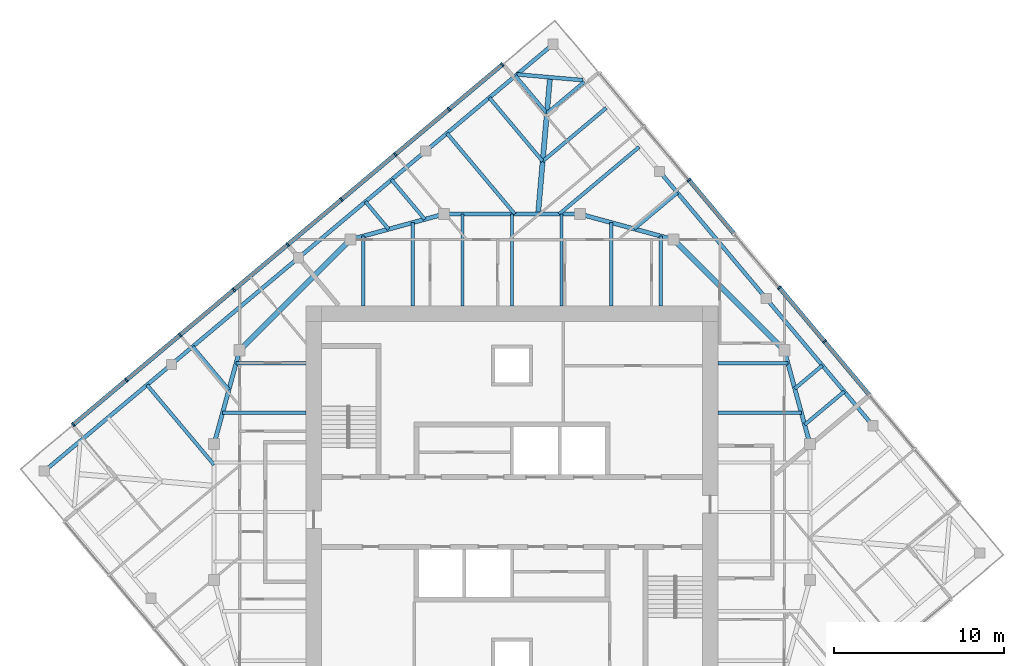
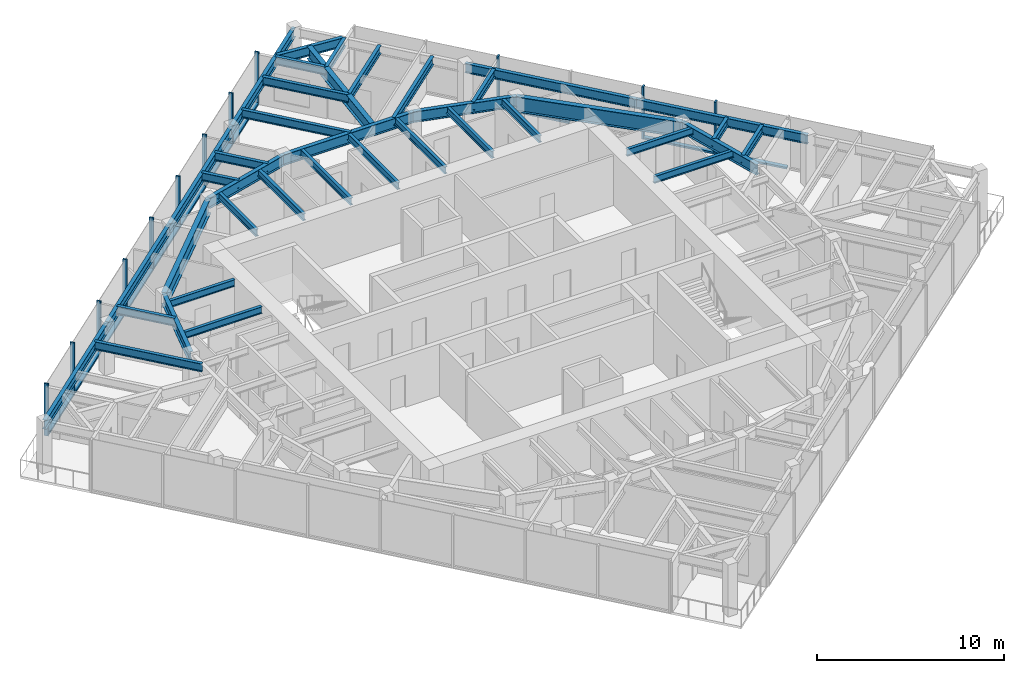
# One storey, part 4 of 12: 39 beams, 23 members, 2 elements without a shape of their own.
"""IFC4 building model written with IfcOpenShell, lengths in metres."""

import ifcopenshell
import ifcopenshell.guid

model = None  # the IFC model being written
_history = None  # IfcOwnerHistory: only IFC2X3 demands one
_inside = {}  # id of a spatial element -> (the spatial element, [elements in it])
_under = {}  # id of a project, library or spatial element -> (it, [spatial elements below it])
_declared = {}  # id of a project -> (the project, [libraries it declares])
_typed = {}  # id of a type object -> (the type object, [elements of that type])
_made_of = {}  # id of a material, layer set ... -> (it, [elements and type objects made of it])


def new_model(schema):
    """Start an empty IFC model of exactly this schema.

    Asked for "IFC4X3", IfcOpenShell would pick the latest addendum, in which some entities
    have other attributes; the version numbers below select the first issue.
    IFC2X3 requires an IfcOwnerHistory on every rooted entity: one is made here for all.
    """
    global model, _history
    if schema == "IFC4X3":
        model = ifcopenshell.file(schema_version=(4, 3, 0, 0))
    else:
        model = ifcopenshell.file(schema=schema)
    _inside.clear()
    _under.clear()
    _declared.clear()
    _typed.clear()
    _made_of.clear()
    _history = None
    if model.schema == "IFC2X3":
        org = make("IfcOrganization", Name="unknown")
        user = make(
            "IfcPersonAndOrganization",
            ThePerson=make("IfcPerson", FamilyName="unknown"),
            TheOrganization=org,
        )
        app = make(
            "IfcApplication",
            ApplicationDeveloper=org,
            Version="unknown",
            ApplicationFullName="unknown",
            ApplicationIdentifier="unknown",
        )
        _history = make(
            "IfcOwnerHistory",
            OwningUser=user,
            OwningApplication=app,
            ChangeAction="ADDED",
            CreationDate=0,
        )
    return model


def make(cls, **values):
    """One entity of the class cls with the attributes given. An attribute that is None is left unset."""
    return model.create_entity(
        cls, **{name: value for name, value in values.items() if value is not None}
    )


def rooted(cls, **values):
    """An entity with a GlobalId (a new one), such as an element, a storey or a relation."""
    return make(cls, GlobalId=ifcopenshell.guid.new(), OwnerHistory=_history, **values)


def si_unit(unit_type, name, prefix=None):
    """IfcSIUnit, for example si_unit("LENGTHUNIT", "METRE", prefix="MILLI")."""
    return make("IfcSIUnit", UnitType=unit_type, Prefix=prefix, Name=name)


def assignment(units):
    """IfcUnitAssignment: the units of a project."""
    return None if units is None else make("IfcUnitAssignment", Units=units)


def point(xyz):
    """IfcCartesianPoint."""
    return None if xyz is None else make("IfcCartesianPoint", Coordinates=xyz)


def direction(xyz):
    """IfcDirection."""
    return None if xyz is None else make("IfcDirection", DirectionRatios=xyz)


def frame(location, z_axis=None, x_axis=None):
    """IfcAxis2Placement3D, a coordinate frame: its origin and axes. An axis left out is left unset."""
    return make(
        "IfcAxis2Placement3D",
        Location=point(location),
        Axis=direction(z_axis),
        RefDirection=direction(x_axis),
    )


def frame_2d(location, x_axis=None):
    """IfcAxis2Placement2D, a coordinate frame in the plane: its origin and x axis."""
    return make(
        "IfcAxis2Placement2D", Location=point(location), RefDirection=direction(x_axis)
    )


def origin():
    """The frame at (0, 0, 0) with its axes left unset."""
    return frame((0.0, 0.0, 0.0))


def origin_2d():
    """The frame at (0, 0) in the plane with its x axis left unset."""
    return frame_2d((0.0, 0.0))


def place(relative_to, where):
    """IfcLocalPlacement: puts the frame where relative to a parent placement (None: the world)."""
    return make(
        "IfcLocalPlacement", PlacementRelTo=relative_to, RelativePlacement=where
    )


def context(
    kind, dimensions, precision=None, world=None, true_north=None, identifier=None
):
    """IfcGeometricRepresentationContext, for example the 3D "Model" context."""
    return make(
        "IfcGeometricRepresentationContext",
        ContextIdentifier=identifier,
        ContextType=kind,
        CoordinateSpaceDimension=dimensions,
        Precision=precision,
        WorldCoordinateSystem=world,
        TrueNorth=true_north,
    )


def subcontext(parent, identifier, kind, view, scale=None):
    """IfcGeometricRepresentationSubContext, for example "Body" below "Model"."""
    return make(
        "IfcGeometricRepresentationSubContext",
        ContextIdentifier=identifier,
        ContextType=kind,
        ParentContext=parent,
        TargetScale=scale,
        TargetView=view,
    )


def project(units=None, contexts=None):
    """IfcProject with its units and contexts."""
    return rooted(
        "IfcProject",
        Name="project",
        RepresentationContexts=contexts,
        UnitsInContext=assignment(units),
    )


def spatial(cls, under=None, at=None, **own):
    """A site, building, storey or space (cls), placed at a placement, below another one or the project."""
    s = rooted(cls, ObjectPlacement=at, **own)
    if under is not None:
        _under.setdefault(under.id(), (under, []))[1].append(s)
    return s


def profile(cls, at=None, kind="AREA", **sizes):
    """A parametric profile (cls). Its sizes go by their IFC names, for example OverallWidth=200.0."""
    return make(cls, ProfileType=kind, Position=at, **sizes)


def rectangle(**sizes):
    """IfcRectangleProfileDef."""
    return profile("IfcRectangleProfileDef", **sizes)


def i_section(**sizes):
    """IfcIShapeProfileDef."""
    return profile("IfcIShapeProfileDef", **sizes)


def extrude(swept, where, along, depth):
    """IfcExtrudedAreaSolid: the profile swept, set in the frame where, extruded along a direction by depth."""
    return make(
        "IfcExtrudedAreaSolid",
        SweptArea=swept,
        Position=where,
        ExtrudedDirection=direction(along),
        Depth=depth,
    )


def shape(context_of_items, identifier, shape_type, items):
    """IfcShapeRepresentation: the items that make up one representation, for example the "Body"."""
    return make(
        "IfcShapeRepresentation",
        ContextOfItems=context_of_items,
        RepresentationIdentifier=identifier,
        RepresentationType=shape_type,
        Items=items,
    )


def material(Name=None, Category=None):
    """IfcMaterial."""
    return make("IfcMaterial", Name=Name, Category=Category)


def material_profile(
    of_material, cross_section, Name=None, Category=None, Priority=None
):
    """IfcMaterialProfile: a cross section and its material."""
    return make(
        "IfcMaterialProfile",
        Name=Name,
        Material=of_material,
        Profile=cross_section,
        Priority=Priority,
        Category=Category,
    )


def profile_set(profiles, Name=None, composite=None):
    """IfcMaterialProfileSet."""
    return make(
        "IfcMaterialProfileSet",
        Name=Name,
        MaterialProfiles=profiles,
        CompositeProfile=composite,
    )


def made_of(thing, what):
    """Note that an element or type object is made of a material, layer set ...; save() writes the relation."""
    if what is not None:
        _made_of.setdefault(what.id(), (what, []))[1].append(thing)
    return thing


def type_object(cls, material=None, **own):
    """A type object (cls), such as IfcWallType, which elements share."""
    return made_of(rooted(cls, **own), material)


def element(
    cls,
    number,
    at=None,
    inside=None,
    cuts=None,
    type_object=None,
    material=None,
    context=None,
    identifier="Body",
    shape_type=None,
    held_by="IfcProductDefinitionShape",
    body=None,
    shapes=None,
    **own,
):
    """One element of the class cls, such as IfcWall. Its Tag is "e" and its number.

    at: its placement. inside: the storey or other place that contains it. cuts: it is an
    opening in that element (IfcRelVoidsElement). A single representation is given by context,
    identifier, shape_type and body (its items); several are given by shapes. held_by: the class
    of the entity that holds the representations. save() writes the other relations.
    """
    e = rooted(cls, Tag="e%d" % number, ObjectPlacement=at, **own)
    if body is not None:
        shapes = [shape(context, identifier, shape_type, body)]
    if shapes is not None:
        e.Representation = make(held_by, Representations=shapes)
    if inside is not None:
        _inside.setdefault(inside.id(), (inside, []))[1].append(e)
    if cuts is not None:
        rooted(
            "IfcRelVoidsElement", RelatingBuildingElement=cuts, RelatedOpeningElement=e
        )
    if type_object is not None:
        _typed.setdefault(type_object.id(), (type_object, []))[1].append(e)
    return made_of(e, material)


def aggregate(whole, parts):
    """IfcRelAggregates: a whole, such as a stair, and the parts it consists of."""
    return rooted("IfcRelAggregates", RelatingObject=whole, RelatedObjects=parts)


def save(model, path):
    """Write the relations noted so far, then the file.

    IfcRelAggregates (storeys below a building ...), IfcRelContainedInSpatialStructure (elements
    in a storey), IfcRelDefinesByType, IfcRelAssociatesMaterial and IfcRelDeclares: one each for
    every whole, place, type object, material and project.
    """
    for whole, parts in _under.values():
        aggregate(whole, parts)
    for where, things in _inside.values():
        rooted(
            "IfcRelContainedInSpatialStructure",
            RelatedElements=things,
            RelatingStructure=where,
        )
    for kind, things in _typed.values():
        rooted("IfcRelDefinesByType", RelatedObjects=things, RelatingType=kind)
    for what, things in _made_of.values():
        rooted("IfcRelAssociatesMaterial", RelatedObjects=things, RelatingMaterial=what)
    for by, libraries in _declared.values():
        rooted("IfcRelDeclares", RelatingContext=by, RelatedDefinitions=libraries)
    model.write(path)


model = new_model("IFC4")

# Units and contexts
model_context = context("Model", 3, precision=1e-05, world=origin(), true_north=direction((0.0, 1.0)))
body_context = subcontext(model_context, "Body", "Model", "MODEL_VIEW")
ifc_project = project(units=[si_unit("LENGTHUNIT", "METRE"), si_unit("AREAUNIT", "SQUARE_METRE"), si_unit("VOLUMEUNIT", "CUBIC_METRE"), si_unit("PLANEANGLEUNIT", "RADIAN"), si_unit("MASSUNIT", "GRAM", prefix="KILO")], contexts=[model_context])

# Site, building, storey
site_placement = place(None, origin())
site = spatial("IfcSite", under=ifc_project, at=site_placement, CompositionType="ELEMENT")
building_placement = place(site_placement, origin())
building = spatial("IfcBuilding", under=site, at=building_placement, Name="Torsade Residences", CompositionType="ELEMENT")
storey_placement = place(building_placement, frame((0.0, 0.0, 286.199951171875)))
storey = spatial("IfcBuildingStorey", under=building, at=storey_placement, Name="L79", CompositionType="ELEMENT", Elevation=286.199951171875)

# Beams
ifc_material_1 = material(Name="Steel grade 300", Category="steel")
ifc_material_profile_1 = material_profile(ifc_material_1, i_section(OverallWidth=0.300048828125, OverallDepth=0.800048828125, WebThickness=0.010009765625, FlangeThickness=0.02001953125, at=origin_2d()), Name="800WB146")
ifc_profile_set_1 = profile_set([ifc_material_profile_1], Name="Steel grade 300")
beam_type_1 = type_object("IfcBeamType", Name="CORNER GIRDER 800WB146", PredefinedType="BEAM", material=ifc_profile_set_1)
beam_1_placement = place(storey_placement, frame((42.234130859375, 55.53515625, 2.85009765625), z_axis=(-0.087172957961, -0.996193191806, 0.0), x_axis=(0.996193191806, -0.087172957961, 0.0)))
element("IfcBeam", 1, at=beam_1_placement, inside=storey, type_object=beam_type_1, Name="Corner girder 09 L80", PredefinedType="BEAM", context=body_context, shape_type="SweptSolid", body=[
    extrude(i_section(OverallWidth=0.300048828125, OverallDepth=0.800048828125, WebThickness=0.010009765625, FlangeThickness=0.02001953125, at=origin_2d()), origin(), (0.0, 0.0, 1.0), 8.06591796875),
])
ifc_material_2 = material(Name="Steel grade 300", Category="steel")
ifc_material_profile_2 = material_profile(ifc_material_2, i_section(OverallWidth=0.22802734375, OverallDepth=0.60205078125, WebThickness=0.010498046875, FlangeThickness=0.014892578125, FilletRadius=0.013916015625, at=origin_2d()), Name="610UB101")
ifc_profile_set_2 = profile_set([ifc_material_profile_2], Name="Steel grade 300")
beam_type_2 = type_object("IfcBeamType", Name="CORNER TRIMMER 610UB101", PredefinedType="BEAM", material=ifc_profile_set_2)
beam_2_placement = place(storey_placement, frame((40.296875, 55.70458984375, 2.948974609375), z_axis=(0.996196646947, -0.087133464362, 0.0), x_axis=(0.087133464362, 0.996196646947, 0.0)))
element("IfcBeam", 2, at=beam_2_placement, inside=storey, type_object=beam_type_2, Name="Corner trimmer 09 L80", PredefinedType="BEAM", context=body_context, shape_type="SweptSolid", body=[
    extrude(i_section(OverallWidth=0.22802734375, OverallDepth=0.60205078125, WebThickness=0.010498046875, FlangeThickness=0.014892578125, FilletRadius=0.013916015625, at=origin_2d()), origin(), (0.0, 0.0, 1.0), 3.88916015625),
])
ifc_material_3 = material(Name="Steel grade 300", Category="steel")
ifc_material_profile_3 = material_profile(ifc_material_3, i_section(OverallWidth=0.22802734375, OverallDepth=0.60205078125, WebThickness=0.010498046875, FlangeThickness=0.014892578125, FilletRadius=0.013916015625, at=origin_2d()), Name="610UB101")
ifc_profile_set_3 = profile_set([ifc_material_profile_3], Name="Steel grade 300")
beam_type_3 = type_object("IfcBeamType", Name="EDGE BEAM 610UB101", PredefinedType="SPANDREL", material=ifc_profile_set_3)
for number, where, z_axis, x_axis, name in (
    (3, (61.205078125, 35.0654296875, 2.948974609375), (-0.642779160279, 0.766051532934, 0.0), (-0.766051532934, -0.642779160279, 0.0), "Edge beam 06 L80"),
    (4, (54.93798828125, 42.534423828125, 2.948974609375), (-0.642806184154, 0.766028856906, 0.0), (-0.766028856906, -0.642806184154, 0.0), "Edge beam 07 L80"),
    (5, (42.403564453125, 57.47216796875, 2.948974609375), (-0.766051532934, -0.642779160279, 0.0), (0.642779160279, -0.766051532934, 0.0), "Edge beam 09 L80"),
    (6, (34.9345703125, 51.205078125, 2.948974609375), (-0.766051532934, -0.642779160279, 0.0), (0.642779160279, -0.766051532934, 0.0), "Edge beam 10 L80"),
    (7, (27.465576171875, 44.93798828125, 2.948974609375), (-0.766028856906, -0.642806184154, 0.0), (0.642806184154, -0.766028856906, 0.0), "Edge beam 11 L80"),
    (8, (19.996826171875, 38.670654296875, 2.948974609375), (-0.766051532934, -0.642779160279, 0.0), (0.642779160279, -0.766051532934, 0.0), "Edge beam 12 L80"),
):
    element("IfcBeam", number, at=place(storey_placement, frame(where, z_axis=z_axis, x_axis=x_axis)), inside=storey, type_object=beam_type_3, Name=name, PredefinedType="SPANDREL", context=body_context, shape_type="SweptSolid", body=[
        extrude(i_section(OverallWidth=0.22802734375, OverallDepth=0.60205078125, WebThickness=0.010498046875, FlangeThickness=0.014892578125, FilletRadius=0.013916015625, at=origin_2d()), origin(), (0.0, 0.0, 1.0), 9.75),
    ])

# Curtain wall, members
ifc_material_4 = material(Name="Aluminium and glass", Category="aluminium")
curtain_wall_type = type_object("IfcCurtainWallType", Name="FRITTED GLASS CURTAIN WALL HIGH ZONE", PredefinedType="NOTDEFINED", material=ifc_material_4)
curtain_wall_1_placement = place(storey_placement, origin())
curtain_wall_1 = element("IfcCurtainWall", 9, at=curtain_wall_1_placement, inside=storey, type_object=curtain_wall_type, Name="Curtain wall L79 face 4", PredefinedType="NOTDEFINED")
ifc_material_5 = material(Name="Aluminium mullion", Category="aluminium")
ifc_material_profile_4 = material_profile(ifc_material_5, rectangle(XDim=0.25, YDim=0.10009765625, at=origin_2d()), Name="HIGH ZONE CURTAIN WALL MULLION 250x100")
ifc_profile_set_4 = profile_set([ifc_material_profile_4], Name="Aluminium mullion")
member_type_1 = type_object("IfcMemberType", Name="HIGH ZONE CURTAIN WALL MULLION 250x100", PredefinedType="MULLION", material=ifc_profile_set_4)
member_1_placement = place(storey_placement, frame((58.35546875, 40.017333984375, 0.0), z_axis=(0.0, 0.0, 1.0), x_axis=(-0.766044437106, -0.642787616853, 0.0)))
member_1 = element("IfcMember", 10, at=member_1_placement, type_object=member_type_1, Name="Mullion 4", PredefinedType="MULLION", context=body_context, shape_type="SweptSolid", body=[
    extrude(rectangle(XDim=0.25, YDim=0.10009765625, at=origin_2d()), origin(), (0.0, 0.0, 1.0), 3.400146484375),
])
member_2_placement = place(storey_placement, frame((55.703857421875, 43.17724609375, 0.0), z_axis=(0.0, 0.0, 1.0), x_axis=(-0.766044437106, -0.642787616853, 0.0)))
member_2 = element("IfcMember", 11, at=member_2_placement, type_object=member_type_1, Name="Mullion 5", PredefinedType="MULLION", context=body_context, shape_type="SweptSolid", body=[
    extrude(rectangle(XDim=0.25, YDim=0.10009765625, at=origin_2d()), origin(), (0.0, 0.0, 1.0), 3.400146484375),
])
member_3_placement = place(storey_placement, frame((50.40087890625, 49.4970703125, 0.0), z_axis=(0.0, 0.0, 1.0), x_axis=(-0.766044437106, -0.642787616853, 0.0)))
member_3 = element("IfcMember", 12, at=member_3_placement, type_object=member_type_1, Name="Mullion 7", PredefinedType="MULLION", context=body_context, shape_type="SweptSolid", body=[
    extrude(rectangle(XDim=0.25, YDim=0.10009765625, at=origin_2d()), origin(), (0.0, 0.0, 1.0), 3.400146484375),
])

curtain_wall_2_placement = place(storey_placement, origin())
curtain_wall_2 = element("IfcCurtainWall", 13, at=curtain_wall_2_placement, inside=storey, type_object=curtain_wall_type, Name="Curtain wall L79 face 7", PredefinedType="NOTDEFINED")
member_4_placement = place(storey_placement, frame((39.42431640625, 56.27783203125, 0.0), z_axis=(0.0, 0.0, 1.0), x_axis=(0.642787616853, -0.766044437106, 0.0)))
member_4 = element("IfcMember", 14, at=member_4_placement, type_object=member_type_1, Name="Mullion 1", PredefinedType="MULLION", context=body_context, shape_type="SweptSolid", body=[
    extrude(rectangle(XDim=0.25, YDim=0.10009765625, at=origin_2d()), origin(), (0.0, 0.0, 1.0), 3.400146484375),
])
member_5_placement = place(storey_placement, frame((36.302734375, 53.658447265625, 0.0), z_axis=(0.0, 0.0, 1.0), x_axis=(0.642787616853, -0.766044437106, 0.0)))
member_5 = element("IfcMember", 15, at=member_5_placement, type_object=member_type_1, Name="Mullion 2", PredefinedType="MULLION", context=body_context, shape_type="SweptSolid", body=[
    extrude(rectangle(XDim=0.25, YDim=0.10009765625, at=origin_2d()), origin(), (0.0, 0.0, 1.0), 3.400146484375),
])
member_6_placement = place(storey_placement, frame((33.142822265625, 51.0068359375, 0.0), z_axis=(0.0, 0.0, 1.0), x_axis=(0.642787616853, -0.766044437106, 0.0)))
member_6 = element("IfcMember", 16, at=member_6_placement, type_object=member_type_1, Name="Mullion 3", PredefinedType="MULLION", context=body_context, shape_type="SweptSolid", body=[
    extrude(rectangle(XDim=0.25, YDim=0.10009765625, at=origin_2d()), origin(), (0.0, 0.0, 1.0), 3.400146484375),
])
member_7_placement = place(storey_placement, frame((29.982666015625, 48.35546875, 0.0), z_axis=(0.0, 0.0, 1.0), x_axis=(0.642787616853, -0.766044437106, 0.0)))
member_7 = element("IfcMember", 17, at=member_7_placement, type_object=member_type_1, Name="Mullion 4", PredefinedType="MULLION", context=body_context, shape_type="SweptSolid", body=[
    extrude(rectangle(XDim=0.25, YDim=0.10009765625, at=origin_2d()), origin(), (0.0, 0.0, 1.0), 3.400146484375),
])
member_8_placement = place(storey_placement, frame((26.82275390625, 45.703857421875, 0.0), z_axis=(0.0, 0.0, 1.0), x_axis=(0.642787616853, -0.766044437106, 0.0)))
member_8 = element("IfcMember", 18, at=member_8_placement, type_object=member_type_1, Name="Mullion 5", PredefinedType="MULLION", context=body_context, shape_type="SweptSolid", body=[
    extrude(rectangle(XDim=0.25, YDim=0.10009765625, at=origin_2d()), origin(), (0.0, 0.0, 1.0), 3.400146484375),
])
member_9_placement = place(storey_placement, frame((23.662841796875, 43.052490234375, 0.0), z_axis=(0.0, 0.0, 1.0), x_axis=(0.642787616853, -0.766044437106, 0.0)))
member_9 = element("IfcMember", 19, at=member_9_placement, type_object=member_type_1, Name="Mullion 6", PredefinedType="MULLION", context=body_context, shape_type="SweptSolid", body=[
    extrude(rectangle(XDim=0.25, YDim=0.10009765625, at=origin_2d()), origin(), (0.0, 0.0, 1.0), 3.400146484375),
])
member_10_placement = place(storey_placement, frame((20.5029296875, 40.40087890625, 0.0), z_axis=(0.0, 0.0, 1.0), x_axis=(0.642787616853, -0.766044437106, 0.0)))
member_10 = element("IfcMember", 20, at=member_10_placement, type_object=member_type_1, Name="Mullion 7", PredefinedType="MULLION", context=body_context, shape_type="SweptSolid", body=[
    extrude(rectangle(XDim=0.25, YDim=0.10009765625, at=origin_2d()), origin(), (0.0, 0.0, 1.0), 3.400146484375),
])
member_11_placement = place(storey_placement, frame((17.343017578125, 37.74951171875, 0.0), z_axis=(0.0, 0.0, 1.0), x_axis=(0.642787616853, -0.766044437106, 0.0)))
member_11 = element("IfcMember", 21, at=member_11_placement, type_object=member_type_1, Name="Mullion 8", PredefinedType="MULLION", context=body_context, shape_type="SweptSolid", body=[
    extrude(rectangle(XDim=0.25, YDim=0.10009765625, at=origin_2d()), origin(), (0.0, 0.0, 1.0), 3.400146484375),
])
member_12_placement = place(storey_placement, frame((14.221435546875, 35.130126953125, 0.0), z_axis=(0.0, 0.0, 1.0), x_axis=(0.642787616853, -0.766044437106, 0.0)))
member_12 = element("IfcMember", 22, at=member_12_placement, type_object=member_type_1, Name="Mullion 9", PredefinedType="MULLION", context=body_context, shape_type="SweptSolid", body=[
    extrude(rectangle(XDim=0.25, YDim=0.10009765625, at=origin_2d()), origin(), (0.0, 0.0, 1.0), 3.400146484375),
])

# Member
ifc_material_6 = material(Name="Aluminium transom", Category="aluminium")
ifc_material_profile_5 = material_profile(ifc_material_6, rectangle(XDim=0.25, YDim=0.1201171875, at=origin_2d()), Name="HIGH ZONE CURTAIN WALL TRANSOM 250x120")
ifc_profile_set_5 = profile_set([ifc_material_profile_5], Name="Aluminium transom")
member_type_2 = type_object("IfcMemberType", Name="HIGH ZONE CURTAIN WALL TRANSOM 250x120", PredefinedType="USERDEFINED", material=ifc_profile_set_5)
member_13_placement = place(storey_placement, frame((60.974853515625, 36.8955078125, 0.06005859375), z_axis=(-0.642793719372, 0.766039316443, 0.0), x_axis=(-0.766039316443, -0.642793719372, 0.0)))
member_13 = element("IfcMember", 23, at=member_13_placement, type_object=member_type_2, Name="Transom 3.1", ObjectType="TRANSOM", PredefinedType="USERDEFINED", context=body_context, shape_type="SweptSolid", body=[
    extrude(rectangle(XDim=0.25, YDim=0.1201171875, at=origin_2d()), origin(), (0.0, 0.0, 1.0), 4.025146484375),
])

member_14_placement = place(storey_placement, frame((58.3232421875, 40.055419921875, 0.06005859375), z_axis=(-0.6427581255, 0.766069182322, 0.0), x_axis=(-0.766069182322, -0.6427581255, 0.0)))
member_14 = element("IfcMember", 24, at=member_14_placement, type_object=member_type_2, Name="Transom 4.1", ObjectType="TRANSOM", PredefinedType="USERDEFINED", context=body_context, shape_type="SweptSolid", body=[
    extrude(rectangle(XDim=0.25, YDim=0.1201171875, at=origin_2d()), origin(), (0.0, 0.0, 1.0), 4.025146484375),
])

member_15_placement = place(storey_placement, frame((53.020263671875, 46.37548828125, 0.06005859375), z_axis=(-0.642787992616, 0.766044121803, 0.0), x_axis=(-0.766044121803, -0.642787992616, 0.0)))
member_15 = element("IfcMember", 25, at=member_15_placement, type_object=member_type_2, Name="Transom 6.1", ObjectType="TRANSOM", PredefinedType="USERDEFINED", context=body_context, shape_type="SweptSolid", body=[
    extrude(rectangle(XDim=0.25, YDim=0.1201171875, at=origin_2d()), origin(), (0.0, 0.0, 1.0), 4.02490234375),
])

aggregate(curtain_wall_1, [member_1, member_2, member_3, member_13, member_14, member_15])

member_16_placement = place(storey_placement, frame((39.385986328125, 56.24560546875, 0.06005859375), z_axis=(-0.766021778456, -0.642814619413, 0.0), x_axis=(0.642814619413, -0.766021778456, 0.0)))
member_16 = element("IfcMember", 26, at=member_16_placement, type_object=member_type_2, Name="Transom 1.1", ObjectType="TRANSOM", PredefinedType="USERDEFINED", context=body_context, shape_type="SweptSolid", body=[
    extrude(rectangle(XDim=0.25, YDim=0.1201171875, at=origin_2d()), origin(), (0.0, 0.0, 1.0), 3.97509765625),
])

member_17_placement = place(storey_placement, frame((36.264404296875, 53.626220703125, 0.06005859375), z_axis=(-0.766069182322, -0.6427581255, 0.0), x_axis=(0.6427581255, -0.766069182322, 0.0)))
member_17 = element("IfcMember", 27, at=member_17_placement, type_object=member_type_2, Name="Transom 2.1", ObjectType="TRANSOM", PredefinedType="USERDEFINED", context=body_context, shape_type="SweptSolid", body=[
    extrude(rectangle(XDim=0.25, YDim=0.1201171875, at=origin_2d()), origin(), (0.0, 0.0, 1.0), 4.025146484375),
])

member_18_placement = place(storey_placement, frame((33.1044921875, 50.974853515625, 0.06005859375), z_axis=(-0.766039316443, -0.642793719372, 0.0), x_axis=(0.642793719372, -0.766039316443, 0.0)))
member_18 = element("IfcMember", 28, at=member_18_placement, type_object=member_type_2, Name="Transom 3.1", ObjectType="TRANSOM", PredefinedType="USERDEFINED", context=body_context, shape_type="SweptSolid", body=[
    extrude(rectangle(XDim=0.25, YDim=0.1201171875, at=origin_2d()), origin(), (0.0, 0.0, 1.0), 4.025146484375),
])

member_19_placement = place(storey_placement, frame((29.944580078125, 48.3232421875, 0.06005859375), z_axis=(-0.766069182322, -0.6427581255, 0.0), x_axis=(0.6427581255, -0.766069182322, 0.0)))
member_19 = element("IfcMember", 29, at=member_19_placement, type_object=member_type_2, Name="Transom 4.1", ObjectType="TRANSOM", PredefinedType="USERDEFINED", context=body_context, shape_type="SweptSolid", body=[
    extrude(rectangle(XDim=0.25, YDim=0.1201171875, at=origin_2d()), origin(), (0.0, 0.0, 1.0), 4.025146484375),
])

member_20_placement = place(storey_placement, frame((26.78466796875, 45.671875, 0.06005859375), z_axis=(-0.766039316443, -0.642793719372, 0.0), x_axis=(0.642793719372, -0.766039316443, 0.0)))
member_20 = element("IfcMember", 30, at=member_20_placement, type_object=member_type_2, Name="Transom 5.1", ObjectType="TRANSOM", PredefinedType="USERDEFINED", context=body_context, shape_type="SweptSolid", body=[
    extrude(rectangle(XDim=0.25, YDim=0.1201171875, at=origin_2d()), origin(), (0.0, 0.0, 1.0), 4.025146484375),
])

member_21_placement = place(storey_placement, frame((23.62451171875, 43.020263671875, 0.06005859375), z_axis=(-0.766044121803, -0.642787992616, 0.0), x_axis=(0.642787992616, -0.766044121803, 0.0)))
member_21 = element("IfcMember", 31, at=member_21_placement, type_object=member_type_2, Name="Transom 6.1", ObjectType="TRANSOM", PredefinedType="USERDEFINED", context=body_context, shape_type="SweptSolid", body=[
    extrude(rectangle(XDim=0.25, YDim=0.1201171875, at=origin_2d()), origin(), (0.0, 0.0, 1.0), 4.02490234375),
])

member_22_placement = place(storey_placement, frame((20.464599609375, 40.36865234375, 0.06005859375), z_axis=(-0.766044121803, -0.642787992616, 0.0), x_axis=(0.642787992616, -0.766044121803, 0.0)))
member_22 = element("IfcMember", 32, at=member_22_placement, type_object=member_type_2, Name="Transom 7.1", ObjectType="TRANSOM", PredefinedType="USERDEFINED", context=body_context, shape_type="SweptSolid", body=[
    extrude(rectangle(XDim=0.25, YDim=0.1201171875, at=origin_2d()), origin(), (0.0, 0.0, 1.0), 4.02490234375),
])

member_23_placement = place(storey_placement, frame((17.3046875, 37.71728515625, 0.06005859375), z_axis=(-0.766021778456, -0.642814619413, 0.0), x_axis=(0.642814619413, -0.766021778456, 0.0)))
member_23 = element("IfcMember", 33, at=member_23_placement, type_object=member_type_2, Name="Transom 8.1", ObjectType="TRANSOM", PredefinedType="USERDEFINED", context=body_context, shape_type="SweptSolid", body=[
    extrude(rectangle(XDim=0.25, YDim=0.1201171875, at=origin_2d()), origin(), (0.0, 0.0, 1.0), 3.97509765625),
])

aggregate(curtain_wall_2, [member_4, member_5, member_6, member_7, member_8, member_9, member_10, member_11, member_12, member_16, member_17, member_18, member_19, member_20, member_21, member_22, member_23])

# Beams
ifc_material_7 = material(Name="Steel grade 300", Category="steel")
ifc_material_profile_6 = material_profile(ifc_material_7, i_section(OverallWidth=0.18994140625, OverallDepth=0.4541015625, WebThickness=0.008544921875, FlangeThickness=0.0126953125, FilletRadius=0.011474609375, at=origin_2d()), Name="460UB67.1")
ifc_profile_set_6 = profile_set([ifc_material_profile_6], Name="Steel grade 300")
beam_type_4 = type_object("IfcBeamType", Name="INNER FLOOR BEAM 460UB67.1", PredefinedType="JOIST", material=ifc_profile_set_6)
beam_3_placement = place(storey_placement, frame((31.262451171875, 42.10009765625, 3.02294921875), z_axis=(0.0, 1.0, 0.0), x_axis=(-1.0, 0.0, 0.0)))
element("IfcBeam", 34, at=beam_3_placement, inside=storey, type_object=beam_type_4, Name="Inner floor beam IN01 L80", PredefinedType="JOIST", context=body_context, shape_type="SweptSolid", body=[
    extrude(i_section(OverallWidth=0.18994140625, OverallDepth=0.4541015625, WebThickness=0.008544921875, FlangeThickness=0.0126953125, FilletRadius=0.011474609375, at=origin_2d()), origin(), (0.0, 0.0, 1.0), 4.10791015625),
])
beam_4_placement = place(storey_placement, frame((34.175048828125, 42.10009765625, 3.02294921875), z_axis=(0.0, 1.0, 0.0), x_axis=(-1.0, 0.0, 0.0)))
element("IfcBeam", 35, at=beam_4_placement, inside=storey, type_object=beam_type_4, Name="Inner floor beam IN02 L80", PredefinedType="JOIST", context=body_context, shape_type="SweptSolid", body=[
    extrude(i_section(OverallWidth=0.18994140625, OverallDepth=0.4541015625, WebThickness=0.008544921875, FlangeThickness=0.0126953125, FilletRadius=0.011474609375, at=origin_2d()), origin(), (0.0, 0.0, 1.0), 4.902099609375),
])
for number, where, z_axis, x_axis, name in (
    (36, (37.08740234375, 42.10009765625, 3.02294921875), (0.0, 1.0, 0.0), (-1.0, 0.0, 0.0), "Inner floor beam IN03 L80"),
    (37, (40.0, 42.10009765625, 3.02294921875), (0.0, 1.0, 0.0), (-1.0, 0.0, 0.0), "Inner floor beam IN04 L80"),
    (38, (42.91259765625, 42.10009765625, 3.02294921875), (0.0, 1.0, 0.0), (-1.0, 0.0, 0.0), "Inner floor beam IN05 L80"),
):
    element("IfcBeam", number, at=place(storey_placement, frame(where, z_axis=z_axis, x_axis=x_axis)), inside=storey, type_object=beam_type_4, Name=name, PredefinedType="JOIST", context=body_context, shape_type="SweptSolid", body=[
        extrude(i_section(OverallWidth=0.18994140625, OverallDepth=0.4541015625, WebThickness=0.008544921875, FlangeThickness=0.0126953125, FilletRadius=0.011474609375, at=origin_2d()), origin(), (0.0, 0.0, 1.0), 5.39990234375),
    ])
beam_5_placement = place(storey_placement, frame((45.824951171875, 42.10009765625, 3.02294921875), z_axis=(0.0, 1.0, 0.0), x_axis=(-1.0, 0.0, 0.0)))
element("IfcBeam", 39, at=beam_5_placement, inside=storey, type_object=beam_type_4, Name="Inner floor beam IN06 L80", PredefinedType="JOIST", context=body_context, shape_type="SweptSolid", body=[
    extrude(i_section(OverallWidth=0.18994140625, OverallDepth=0.4541015625, WebThickness=0.008544921875, FlangeThickness=0.0126953125, FilletRadius=0.011474609375, at=origin_2d()), origin(), (0.0, 0.0, 1.0), 4.902099609375),
])
beam_6_placement = place(storey_placement, frame((48.737548828125, 42.10009765625, 3.02294921875), z_axis=(0.0, 1.0, 0.0), x_axis=(-1.0, 0.0, 0.0)))
element("IfcBeam", 40, at=beam_6_placement, inside=storey, type_object=beam_type_4, Name="Inner floor beam IN07 L80", PredefinedType="JOIST", context=body_context, shape_type="SweptSolid", body=[
    extrude(i_section(OverallWidth=0.18994140625, OverallDepth=0.4541015625, WebThickness=0.008544921875, FlangeThickness=0.0126953125, FilletRadius=0.011474609375, at=origin_2d()), origin(), (0.0, 0.0, 1.0), 4.10791015625),
])
beam_7_placement = place(storey_placement, frame((52.10009765625, 35.824951171875, 3.02294921875), z_axis=(1.0, 0.0, 0.0), x_axis=(0.0, 1.0, 0.0)))
element("IfcBeam", 41, at=beam_7_placement, inside=storey, type_object=beam_type_4, Name="Inner floor beam IE06 L80", PredefinedType="JOIST", context=body_context, shape_type="SweptSolid", body=[
    extrude(i_section(OverallWidth=0.18994140625, OverallDepth=0.4541015625, WebThickness=0.008544921875, FlangeThickness=0.0126953125, FilletRadius=0.011474609375, at=origin_2d()), origin(), (0.0, 0.0, 1.0), 4.902099609375),
])
for number, where, z_axis, x_axis, name in (
    (42, (52.10009765625, 38.737548828125, 3.02294921875), (1.0, 0.0, 0.0), (0.0, 1.0, 0.0), "Inner floor beam IE07 L80"),
    (43, (27.89990234375, 38.737548828125, 3.02294921875), (-1.0, 0.0, 0.0), (0.0, -1.0, 0.0), "Inner floor beam IW01 L80"),
):
    element("IfcBeam", number, at=place(storey_placement, frame(where, z_axis=z_axis, x_axis=x_axis)), inside=storey, type_object=beam_type_4, Name=name, PredefinedType="JOIST", context=body_context, shape_type="SweptSolid", body=[
        extrude(i_section(OverallWidth=0.18994140625, OverallDepth=0.4541015625, WebThickness=0.008544921875, FlangeThickness=0.0126953125, FilletRadius=0.011474609375, at=origin_2d()), origin(), (0.0, 0.0, 1.0), 4.10791015625),
    ])
beam_8_placement = place(storey_placement, frame((27.89990234375, 35.824951171875, 3.02294921875), z_axis=(-1.0, 0.0, 0.0), x_axis=(0.0, -1.0, 0.0)))
element("IfcBeam", 44, at=beam_8_placement, inside=storey, type_object=beam_type_4, Name="Inner floor beam IW02 L80", PredefinedType="JOIST", context=body_context, shape_type="SweptSolid", body=[
    extrude(i_section(OverallWidth=0.18994140625, OverallDepth=0.4541015625, WebThickness=0.008544921875, FlangeThickness=0.0126953125, FilletRadius=0.011474609375, at=origin_2d()), origin(), (0.0, 0.0, 1.0), 4.902099609375),
])
ifc_material_8 = material(Name="Steel grade 300", Category="steel")
ifc_material_profile_7 = material_profile(ifc_material_8, i_section(OverallWidth=0.300048828125, OverallDepth=1.0, WebThickness=0.01611328125, FlangeThickness=0.028076171875, at=origin_2d()), Name="1000WB215")
ifc_profile_set_7 = profile_set([ifc_material_profile_7], Name="Steel grade 300")
beam_type_5 = type_object("IfcBeamType", Name="RING CORNER GIRDER 1000WB215", PredefinedType="BEAM", material=ifc_profile_set_7)
for number, where, z_axis, x_axis, name in (
    (45, (56.0, 39.5, 2.75), (-0.707106781187, 0.707106781187, 0.0), (-0.707106781187, -0.707106781187, 0.0), "Ring girder IR03 L80"),
    (46, (30.5, 46.0, 2.75), (-0.707106781187, -0.707106781187, 0.0), (0.707106781187, -0.707106781187, 0.0), "Ring girder IR07 L80"),
):
    element("IfcBeam", number, at=place(storey_placement, frame(where, z_axis=z_axis, x_axis=x_axis)), inside=storey, type_object=beam_type_5, Name=name, PredefinedType="BEAM", context=body_context, shape_type="SweptSolid", body=[
        extrude(i_section(OverallWidth=0.300048828125, OverallDepth=1.0, WebThickness=0.01611328125, FlangeThickness=0.028076171875, at=origin_2d()), origin(), (0.0, 0.0, 1.0), 9.1923828125),
    ])
ifc_material_9 = material(Name="Steel grade 300", Category="steel")
ifc_material_profile_8 = material_profile(ifc_material_9, i_section(OverallWidth=0.25, OverallDepth=0.699951171875, WebThickness=0.010009765625, FlangeThickness=0.02001953125, at=origin_2d()), Name="700WB130")
ifc_profile_set_8 = profile_set([ifc_material_profile_8], Name="Steel grade 300")
beam_type_6 = type_object("IfcBeamType", Name="RING GIRDER 700WB130", PredefinedType="BEAM", material=ifc_profile_set_8)
for number, where, z_axis, x_axis, name in (
    (47, (57.5, 34.0, 2.900146484375), (-0.263117405792, 0.964763821238, 0.0), (-0.964763821238, -0.263117405792, 0.0), "Ring girder IR02 L80"),
    (48, (49.5, 46.0, 2.900146484375), (-0.964763821238, 0.263117405792, 0.0), (-0.263117405792, -0.964763821238, 0.0), "Ring girder IR04 L80"),
):
    element("IfcBeam", number, at=place(storey_placement, frame(where, z_axis=z_axis, x_axis=x_axis)), inside=storey, type_object=beam_type_6, Name=name, PredefinedType="BEAM", context=body_context, shape_type="SweptSolid", body=[
        extrude(i_section(OverallWidth=0.25, OverallDepth=0.699951171875, WebThickness=0.010009765625, FlangeThickness=0.02001953125, at=origin_2d()), origin(), (0.0, 0.0, 1.0), 5.700927734375),
    ])
beam_9_placement = place(storey_placement, frame((44.0, 47.5, 2.900146484375), z_axis=(-1.0, 0.0, 0.0), x_axis=(0.0, -1.0, 0.0)))
element("IfcBeam", 49, at=beam_9_placement, inside=storey, type_object=beam_type_6, Name="Ring girder IR05 L80", PredefinedType="BEAM", context=body_context, shape_type="SweptSolid", body=[
    extrude(i_section(OverallWidth=0.25, OverallDepth=0.699951171875, WebThickness=0.010009765625, FlangeThickness=0.02001953125, at=origin_2d()), origin(), (0.0, 0.0, 1.0), 8.0),
])
for number, where, z_axis, x_axis, name in (
    (50, (36.0, 47.5, 2.900146484375), (-0.964763821238, -0.263117405792, 0.0), (0.263117405792, -0.964763821238, 0.0), "Ring girder IR06 L80"),
    (51, (24.0, 39.5, 2.900146484375), (-0.263117405792, -0.964763821238, 0.0), (0.964763821238, -0.263117405792, 0.0), "Ring girder IR08 L80"),
):
    element("IfcBeam", number, at=place(storey_placement, frame(where, z_axis=z_axis, x_axis=x_axis)), inside=storey, type_object=beam_type_6, Name=name, PredefinedType="BEAM", context=body_context, shape_type="SweptSolid", body=[
        extrude(i_section(OverallWidth=0.25, OverallDepth=0.699951171875, WebThickness=0.010009765625, FlangeThickness=0.02001953125, at=origin_2d()), origin(), (0.0, 0.0, 1.0), 5.700927734375),
    ])
ifc_material_10 = material(Name="Steel grade 300", Category="steel")
ifc_material_profile_9 = material_profile(ifc_material_10, i_section(OverallWidth=0.208984375, OverallDepth=0.532958984375, WebThickness=0.01025390625, FlangeThickness=0.015625, FilletRadius=0.013916015625, at=origin_2d()), Name="530UB92.4")
ifc_profile_set_9 = profile_set([ifc_material_profile_9], Name="Steel grade 300")
beam_type_7 = type_object("IfcBeamType", Name="SECONDARY BEAM 530UB92.4", PredefinedType="JOIST", material=ifc_profile_set_9)
beam_10_placement = place(storey_placement, frame((59.517822265625, 37.076171875, 2.983642578125), z_axis=(-0.766080361029, -0.64274480196, 0.0), x_axis=(0.64274480196, -0.766080361029, 0.0)))
element("IfcBeam", 52, at=beam_10_placement, inside=storey, type_object=beam_type_7, Name="Floor beam FE04 L80", PredefinedType="JOIST", context=body_context, shape_type="SweptSolid", body=[
    extrude(i_section(OverallWidth=0.208984375, OverallDepth=0.532958984375, WebThickness=0.01025390625, FlangeThickness=0.015625, FilletRadius=0.013916015625, at=origin_2d()), origin(), (0.0, 0.0, 1.0), 3.03466796875),
])
beam_11_placement = place(storey_placement, frame((58.232177734375, 38.6083984375, 2.983642578125), z_axis=(-0.766057560226, -0.642771977004, 0.0), x_axis=(0.642771977004, -0.766057560226, 0.0)))
element("IfcBeam", 53, at=beam_11_placement, inside=storey, type_object=beam_type_7, Name="Floor beam FE05 L80", PredefinedType="JOIST", context=body_context, shape_type="SweptSolid", body=[
    extrude(i_section(OverallWidth=0.208984375, OverallDepth=0.532958984375, WebThickness=0.01025390625, FlangeThickness=0.015625, FilletRadius=0.013916015625, at=origin_2d()), origin(), (0.0, 0.0, 1.0), 2.113037109375),
])
beam_12_placement = place(storey_placement, frame((49.71533203125, 48.758544921875, 2.983642578125), z_axis=(-0.766044990879, -0.642786956891, 0.0), x_axis=(0.642786956891, -0.766044990879, 0.0)))
element("IfcBeam", 54, at=beam_12_placement, inside=storey, type_object=beam_type_7, Name="Floor beam FE09 L80", PredefinedType="JOIST", context=body_context, shape_type="SweptSolid", body=[
    extrude(i_section(OverallWidth=0.208984375, OverallDepth=0.532958984375, WebThickness=0.01025390625, FlangeThickness=0.015625, FilletRadius=0.013916015625, at=origin_2d()), origin(), (0.0, 0.0, 1.0), 3.307861328125),
])
beam_13_placement = place(storey_placement, frame((47.465576171875, 51.439697265625, 2.983642578125), z_axis=(-0.766039049329, -0.642794037701, 0.0), x_axis=(0.642794037701, -0.766039049329, 0.0)))
element("IfcBeam", 55, at=beam_13_placement, inside=storey, type_object=beam_type_7, Name="Floor beam FE10 L80", PredefinedType="JOIST", context=body_context, shape_type="SweptSolid", body=[
    extrude(i_section(OverallWidth=0.208984375, OverallDepth=0.532958984375, WebThickness=0.01025390625, FlangeThickness=0.015625, FilletRadius=0.013916015625, at=origin_2d()), origin(), (0.0, 0.0, 1.0), 6.12890625),
])
beam_14_placement = place(storey_placement, frame((45.537109375, 53.73779296875, 2.983642578125), z_axis=(-0.766041186946, -0.642791490223, 0.0), x_axis=(0.642791490223, -0.766041186946, 0.0)))
element("IfcBeam", 56, at=beam_14_placement, inside=storey, type_object=beam_type_7, Name="Floor beam FE11 L80", PredefinedType="JOIST", context=body_context, shape_type="SweptSolid", body=[
    extrude(i_section(OverallWidth=0.208984375, OverallDepth=0.532958984375, WebThickness=0.01025390625, FlangeThickness=0.015625, FilletRadius=0.013916015625, at=origin_2d()), origin(), (0.0, 0.0, 1.0), 4.875),
])
for number, where, z_axis, x_axis, name in (
    (57, (44.25146484375, 55.269775390625, 2.983642578125), (-0.766066093402, -0.642761807001, 0.0), (0.642761807001, -0.766066093402, 0.0), "Floor beam FE12 L80"),
    (58, (40.201171875, 55.624267578125, 2.983642578125), (0.642761807001, -0.766066093402, 0.0), (0.766066093402, 0.642761807001, 0.0), "Floor beam FN01 L80"),
):
    element("IfcBeam", number, at=place(storey_placement, frame(where, z_axis=z_axis, x_axis=x_axis)), inside=storey, type_object=beam_type_7, Name=name, PredefinedType="JOIST", context=body_context, shape_type="SweptSolid", body=[
        extrude(i_section(OverallWidth=0.208984375, OverallDepth=0.532958984375, WebThickness=0.01025390625, FlangeThickness=0.015625, FilletRadius=0.013916015625, at=origin_2d()), origin(), (0.0, 0.0, 1.0), 2.875),
    ])
beam_15_placement = place(storey_placement, frame((38.6689453125, 54.338623046875, 2.983642578125), z_axis=(0.642820877376, -0.766016526982, 0.0), x_axis=(0.766016526982, 0.642820877376, 0.0)))
element("IfcBeam", 59, at=beam_15_placement, inside=storey, type_object=beam_type_7, Name="Floor beam FN02 L80", PredefinedType="JOIST", context=body_context, shape_type="SweptSolid", body=[
    extrude(i_section(OverallWidth=0.208984375, OverallDepth=0.532958984375, WebThickness=0.01025390625, FlangeThickness=0.015625, FilletRadius=0.013916015625, at=origin_2d()), origin(), (0.0, 0.0, 1.0), 4.875),
])
beam_16_placement = place(storey_placement, frame((36.179443359375, 52.24951171875, 2.983642578125), z_axis=(0.642791209238, -0.766041422722, 0.0), x_axis=(0.766041422722, 0.642791209238, 0.0)))
element("IfcBeam", 60, at=beam_16_placement, inside=storey, type_object=beam_type_7, Name="Floor beam FN03 L80", PredefinedType="JOIST", context=body_context, shape_type="SweptSolid", body=[
    extrude(i_section(OverallWidth=0.208984375, OverallDepth=0.532958984375, WebThickness=0.01025390625, FlangeThickness=0.015625, FilletRadius=0.013916015625, at=origin_2d()), origin(), (0.0, 0.0, 1.0), 6.199951171875),
])
beam_17_placement = place(storey_placement, frame((32.923828125, 49.517822265625, 2.983642578125), z_axis=(0.64274480196, -0.766080361029, 0.0), x_axis=(0.766080361029, 0.64274480196, 0.0)))
element("IfcBeam", 61, at=beam_17_placement, inside=storey, type_object=beam_type_7, Name="Floor beam FN04 L80", PredefinedType="JOIST", context=body_context, shape_type="SweptSolid", body=[
    extrude(i_section(OverallWidth=0.208984375, OverallDepth=0.532958984375, WebThickness=0.01025390625, FlangeThickness=0.015625, FilletRadius=0.013916015625, at=origin_2d()), origin(), (0.0, 0.0, 1.0), 3.03466796875),
])
beam_18_placement = place(storey_placement, frame((31.3916015625, 48.232177734375, 2.983642578125), z_axis=(0.642771977004, -0.766057560226, 0.0), x_axis=(0.766057560226, 0.642771977004, 0.0)))
element("IfcBeam", 62, at=beam_18_placement, inside=storey, type_object=beam_type_7, Name="Floor beam FN05 L80", PredefinedType="JOIST", context=body_context, shape_type="SweptSolid", body=[
    extrude(i_section(OverallWidth=0.208984375, OverallDepth=0.532958984375, WebThickness=0.01025390625, FlangeThickness=0.015625, FilletRadius=0.013916015625, at=origin_2d()), origin(), (0.0, 0.0, 1.0), 2.113037109375),
])
beam_19_placement = place(storey_placement, frame((21.241455078125, 39.71533203125, 2.983642578125), z_axis=(0.642786956891, -0.766044990879, 0.0), x_axis=(0.766044990879, 0.642786956891, 0.0)))
element("IfcBeam", 63, at=beam_19_placement, inside=storey, type_object=beam_type_7, Name="Floor beam FN09 L80", PredefinedType="JOIST", context=body_context, shape_type="SweptSolid", body=[
    extrude(i_section(OverallWidth=0.208984375, OverallDepth=0.532958984375, WebThickness=0.01025390625, FlangeThickness=0.015625, FilletRadius=0.013916015625, at=origin_2d()), origin(), (0.0, 0.0, 1.0), 3.307861328125),
])
beam_20_placement = place(storey_placement, frame((18.560302734375, 37.465576171875, 2.983642578125), z_axis=(0.642794037701, -0.766039049329, 0.0), x_axis=(0.766039049329, 0.642794037701, 0.0)))
element("IfcBeam", 64, at=beam_20_placement, inside=storey, type_object=beam_type_7, Name="Floor beam FN10 L80", PredefinedType="JOIST", context=body_context, shape_type="SweptSolid", body=[
    extrude(i_section(OverallWidth=0.208984375, OverallDepth=0.532958984375, WebThickness=0.01025390625, FlangeThickness=0.015625, FilletRadius=0.013916015625, at=origin_2d()), origin(), (0.0, 0.0, 1.0), 6.12890625),
])

save(model, "model.ifc")
